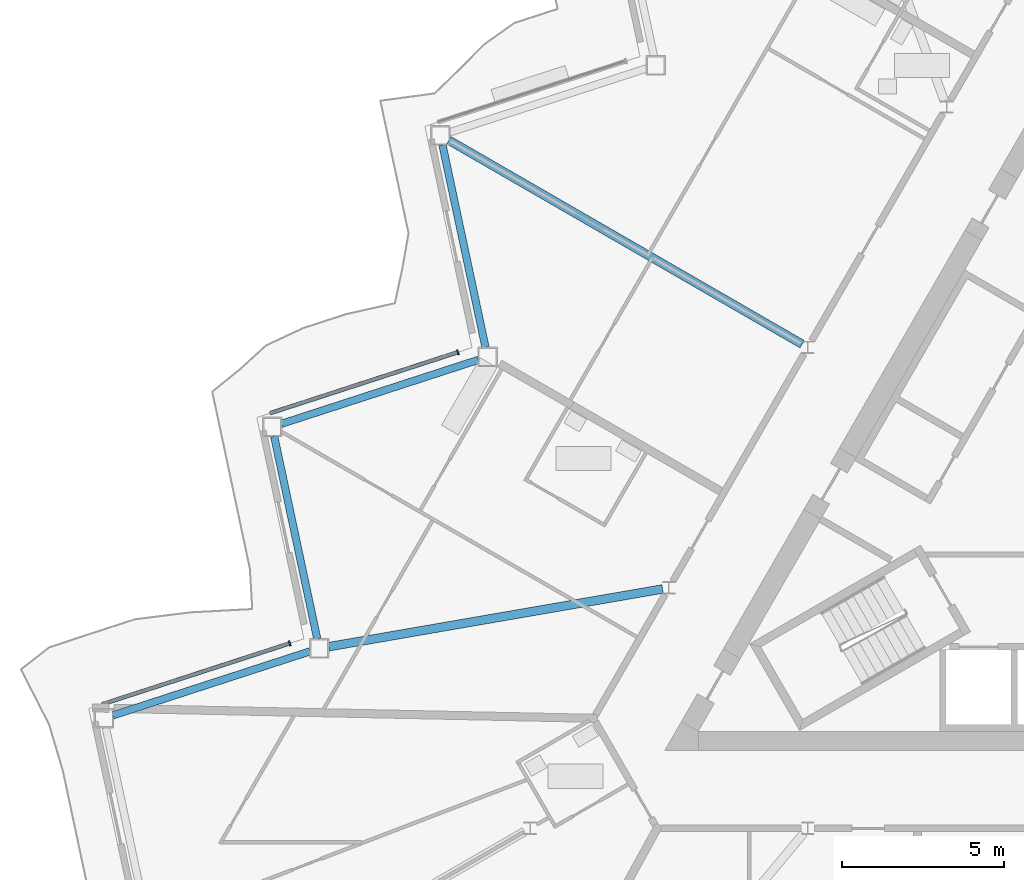
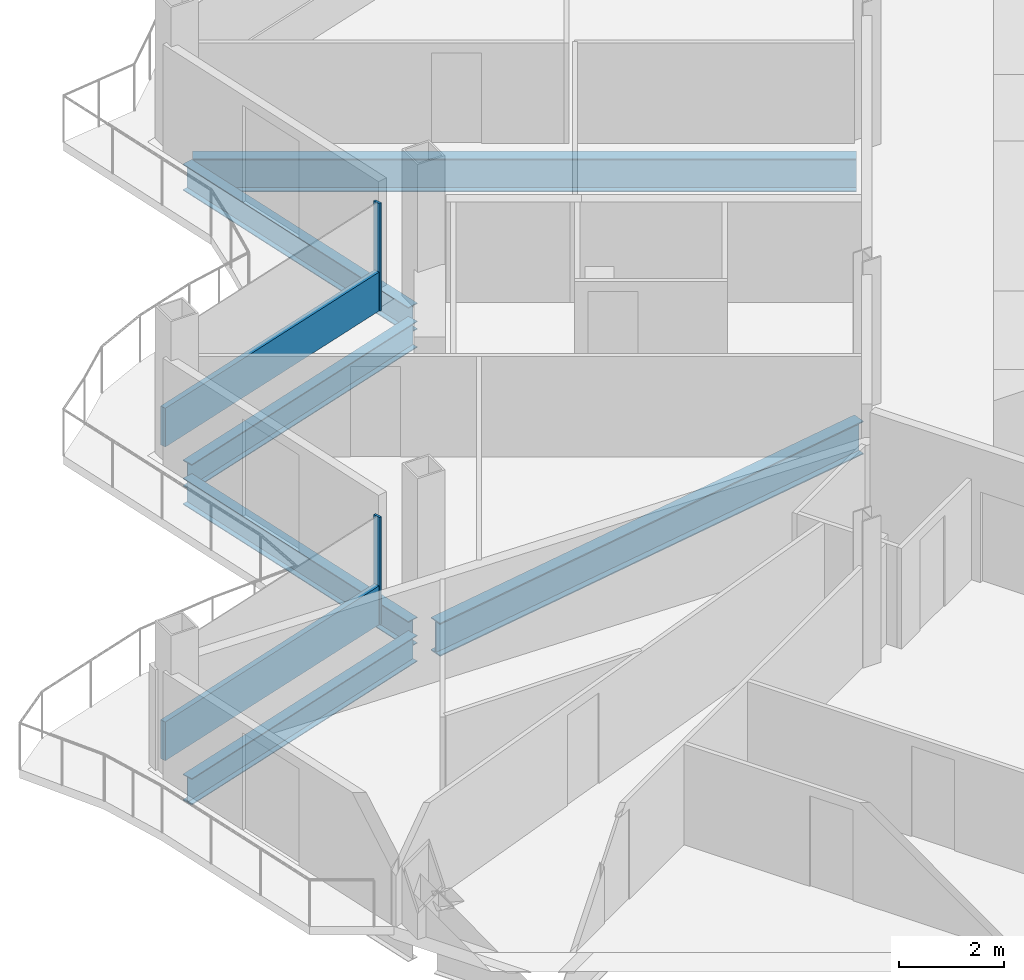
# One storey, part 6 of 27: 6 beams, 4 members, 2 elements without a shape of their own.
"""IFC4 building model written with IfcOpenShell, lengths in metres."""

from ifc_helpers import new_model, si_unit, direction, frame, origin, origin_2d, place, context, subcontext, project, spatial, rectangle, i_section, extrude, material, layer, layer_set, material_profile, profile_set, type_object, element, aggregate, save


model = new_model("IFC4")

# Units and contexts
model_context = context("Model", 3, precision=1e-05, world=origin(), true_north=direction((0.0, 1.0)))
body_context = subcontext(model_context, "Body", "Model", "MODEL_VIEW")
ifc_project = project(units=[si_unit("LENGTHUNIT", "METRE"), si_unit("AREAUNIT", "SQUARE_METRE"), si_unit("VOLUMEUNIT", "CUBIC_METRE"), si_unit("PLANEANGLEUNIT", "RADIAN"), si_unit("MASSUNIT", "GRAM", prefix="KILO")], contexts=[model_context])

# Site, building, storey
site_placement = place(None, origin())
site = spatial("IfcSite", under=ifc_project, at=site_placement, CompositionType="ELEMENT")
building_placement = place(site_placement, origin())
building = spatial("IfcBuilding", under=site, at=building_placement, Name="Cormorant Prow Tower", CompositionType="ELEMENT")
storey_placement = place(building_placement, frame((0.0, 0.0, 312.0)))
storey = spatial("IfcBuildingStorey", under=building, at=storey_placement, Name="L68", CompositionType="ELEMENT", Elevation=312.0)

# Beams
ifc_material_1 = material(Name="Structural steel ASTM A992 Gr 50", Category="steel")
ifc_material_profile_1 = material_profile(ifc_material_1, i_section(OverallWidth=0.267822265625, OverallDepth=0.77001953125, WebThickness=0.015625, FlangeThickness=0.025390625, at=origin_2d()), Name="W30x132")
ifc_profile_set_1 = profile_set([ifc_material_profile_1], Name="Structural steel ASTM A992 Gr 50")
beam_type_1 = type_object("IfcBeamType", Name="Radial floor beam W30x132", PredefinedType="BEAM", material=ifc_profile_set_1)
beam_1_placement = place(storey_placement, frame((-8.749755859375, 5.051513671875, -0.68505859375), z_axis=(-0.866021086443, 0.50000747778, 0.0), x_axis=(-0.50000747778, -0.866021086443, 0.0)))
element("IfcBeam", 1, at=beam_1_placement, inside=storey, type_object=beam_type_1, Name="Radial floor beam FB3 3 L68", PredefinedType="BEAM", context=body_context, shape_type="SweptSolid", body=[
    extrude(i_section(OverallWidth=0.267822265625, OverallDepth=0.77001953125, WebThickness=0.015625, FlangeThickness=0.025390625, at=origin_2d()), origin(), (0.0, 0.0, 1.0), 12.604736328125),
])
beam_2_placement = place(storey_placement, frame((-13.0625, -2.510009765625, -0.68505859375), z_axis=(-0.985379592304, -0.170373293304, 0.0), x_axis=(0.170373293304, -0.985379592304, 0.0)))
element("IfcBeam", 2, at=beam_2_placement, inside=storey, type_object=beam_type_1, Name="Radial floor beam FB3 4 L68", PredefinedType="BEAM", context=body_context, shape_type="SweptSolid", body=[
    extrude(i_section(OverallWidth=0.267822265625, OverallDepth=0.77001953125, WebThickness=0.015625, FlangeThickness=0.025390625, at=origin_2d()), origin(), (0.0, 0.0, 1.0), 10.465087890625),
])

# Curtain wall, member
ifc_material_2 = material(Name="Aluminium 6063-T6", Category="aluminium")
ifc_layer = layer(ifc_material_2, 0.159912109375)
ifc_layer_set = layer_set([ifc_layer], Name="Aluminium 6063-T6")
curtain_wall_type = type_object("IfcCurtainWallType", Name="Residential unitised curtain wall 160", PredefinedType="NOTDEFINED", material=ifc_layer_set)
curtain_wall_1_placement = place(storey_placement, origin())
curtain_wall_1 = element("IfcCurtainWall", 3, at=curtain_wall_1_placement, inside=storey, type_object=curtain_wall_type, Name="Residential curtain wall WNW06", PredefinedType="NOTDEFINED")
ifc_material_3 = material(Name="Aluminium 6063-T6", Category="aluminium")
ifc_material_profile_2 = material_profile(ifc_material_3, rectangle(XDim=0.159912109375, YDim=0.050048828125, at=origin_2d()), Name="Residential mullion 50x160")
ifc_profile_set_2 = profile_set([ifc_material_profile_2], Name="Aluminium 6063-T6")
member_type_1 = type_object("IfcMemberType", Name="Residential mullion 50x160", PredefinedType="MULLION", material=ifc_profile_set_2)
member_1_placement = place(storey_placement, frame((-19.38916015625, 4.80419921875, 0.0), z_axis=(0.0, 0.0, 1.0), x_axis=(0.309016987171, -0.951056518636, 0.0)))
member_1 = element("IfcMember", 4, at=member_1_placement, type_object=member_type_1, Name="Residential mullion WNW06", PredefinedType="MULLION", context=body_context, shape_type="SweptSolid", body=[
    extrude(rectangle(XDim=0.159912109375, YDim=0.050048828125, at=origin_2d()), origin(), (0.0, 0.0, 1.0), 2.48779296875),
])

curtain_wall_2_placement = place(storey_placement, origin())
curtain_wall_2 = element("IfcCurtainWall", 5, at=curtain_wall_2_placement, inside=storey, type_object=curtain_wall_type, Name="Residential curtain wall WNW08", PredefinedType="NOTDEFINED")
member_2_placement = place(storey_placement, frame((-24.58203125, -4.18994140625, 0.0), z_axis=(0.0, 0.0, 1.0), x_axis=(0.309016945109, -0.951056532303, 0.0)))
member_2 = element("IfcMember", 6, at=member_2_placement, type_object=member_type_1, Name="Residential mullion WNW08", PredefinedType="MULLION", context=body_context, shape_type="SweptSolid", body=[
    extrude(rectangle(XDim=0.159912109375, YDim=0.050048828125, at=origin_2d()), origin(), (0.0, 0.0, 1.0), 2.48779296875),
])

# Member
ifc_material_4 = material(Name="Terracotta", Category="masonry")
ifc_material_profile_3 = material_profile(ifc_material_4, rectangle(XDim=0.1201171875, YDim=0.89990234375, at=origin_2d()), Name="Residential terracotta spandrel rail 120x900")
ifc_profile_set_3 = profile_set([ifc_material_profile_3], Name="Terracotta")
member_type_2 = type_object("IfcMemberType", Name="Residential terracotta spandrel rail 120x900", PredefinedType="USERDEFINED", material=ifc_profile_set_3)
member_3_placement = place(storey_placement, frame((-19.412841796875, 4.796630859375, 0.449951171875), z_axis=(-0.951053279859, -0.309026954923, 0.0), x_axis=(0.309026954923, -0.951053279859, 0.0)))
member_3 = element("IfcMember", 7, at=member_3_placement, type_object=member_type_2, Name="Residential spandrel rail WNW06", ObjectType="TRANSOM", PredefinedType="USERDEFINED", context=body_context, shape_type="SweptSolid", body=[
    extrude(rectangle(XDim=0.1201171875, YDim=0.89990234375, at=origin_2d()), origin(), (0.0, 0.0, 1.0), 6.06982421875),
])

aggregate(curtain_wall_1, [member_1, member_3])

member_4_placement = place(storey_placement, frame((-24.605712890625, -4.19775390625, 0.449951171875), z_axis=(-0.951065100651, -0.308990573195, 0.0), x_axis=(0.308990573195, -0.951065100651, 0.0)))
member_4 = element("IfcMember", 8, at=member_4_placement, type_object=member_type_2, Name="Residential spandrel rail WNW08", ObjectType="TRANSOM", PredefinedType="USERDEFINED", context=body_context, shape_type="SweptSolid", body=[
    extrude(rectangle(XDim=0.1201171875, YDim=0.89990234375, at=origin_2d()), origin(), (0.0, 0.0, 1.0), 6.06982421875),
])

aggregate(curtain_wall_2, [member_2, member_4])

# Beams
ifc_material_5 = material(Name="Structural steel ASTM A992 Gr 50", Category="steel")
ifc_material_profile_4 = material_profile(ifc_material_5, i_section(OverallWidth=0.22900390625, OverallDepth=0.612060546875, WebThickness=0.011962890625, FlangeThickness=0.01953125, at=origin_2d()), Name="W24x84")
ifc_profile_set_4 = profile_set([ifc_material_profile_4], Name="Structural steel ASTM A992 Gr 50")
beam_type_2 = type_object("IfcBeamType", Name="Spandrel beam W24x84", PredefinedType="SPANDREL", material=ifc_profile_set_4)
beam_3_placement = place(storey_placement, frame((-19.86328125, 11.210693359375, -0.60595703125), z_axis=(0.20791262393, -0.978147402394, 0.0), x_axis=(0.978147402394, 0.20791262393, 0.0)))
element("IfcBeam", 9, at=beam_3_placement, inside=storey, type_object=beam_type_2, Name="Spandrel beam SB3 WNW05-WNW06 L68", PredefinedType="SPANDREL", context=body_context, shape_type="SweptSolid", body=[
    extrude(i_section(OverallWidth=0.22900390625, OverallDepth=0.612060546875, WebThickness=0.011962890625, FlangeThickness=0.01953125, at=origin_2d()), origin(), (0.0, 0.0, 1.0), 6.396240234375),
])
beam_4_placement = place(storey_placement, frame((-18.75634765625, 4.568115234375, -0.60595703125), z_axis=(-0.951064359156, -0.308992855489, 0.0), x_axis=(0.308992855489, -0.951064359156, 0.0)))
element("IfcBeam", 10, at=beam_4_placement, inside=storey, type_object=beam_type_2, Name="Spandrel beam SB3 WNW06-WNW07 L68", PredefinedType="SPANDREL", context=body_context, shape_type="SweptSolid", body=[
    extrude(i_section(OverallWidth=0.22900390625, OverallDepth=0.612060546875, WebThickness=0.011962890625, FlangeThickness=0.01953125, at=origin_2d()), origin(), (0.0, 0.0, 1.0), 6.39599609375),
])
beam_5_placement = place(storey_placement, frame((-25.062255859375, 2.20556640625, -0.60595703125), z_axis=(0.20791262393, -0.978147402394, 0.0), x_axis=(0.978147402394, 0.20791262393, 0.0)))
element("IfcBeam", 11, at=beam_5_placement, inside=storey, type_object=beam_type_2, Name="Spandrel beam SB3 WNW07-WNW08 L68", PredefinedType="SPANDREL", context=body_context, shape_type="SweptSolid", body=[
    extrude(i_section(OverallWidth=0.22900390625, OverallDepth=0.612060546875, WebThickness=0.011962890625, FlangeThickness=0.01953125, at=origin_2d()), origin(), (0.0, 0.0, 1.0), 6.396240234375),
])
beam_6_placement = place(storey_placement, frame((-23.955322265625, -4.43701171875, -0.60595703125), z_axis=(-0.951064359156, -0.308992855489, 0.0), x_axis=(0.308992855489, -0.951064359156, 0.0)))
element("IfcBeam", 12, at=beam_6_placement, inside=storey, type_object=beam_type_2, Name="Spandrel beam SB3 WNW08-WNW09 L68", PredefinedType="SPANDREL", context=body_context, shape_type="SweptSolid", body=[
    extrude(i_section(OverallWidth=0.22900390625, OverallDepth=0.612060546875, WebThickness=0.011962890625, FlangeThickness=0.01953125, at=origin_2d()), origin(), (0.0, 0.0, 1.0), 6.39599609375),
])

save(model, "model.ifc")
